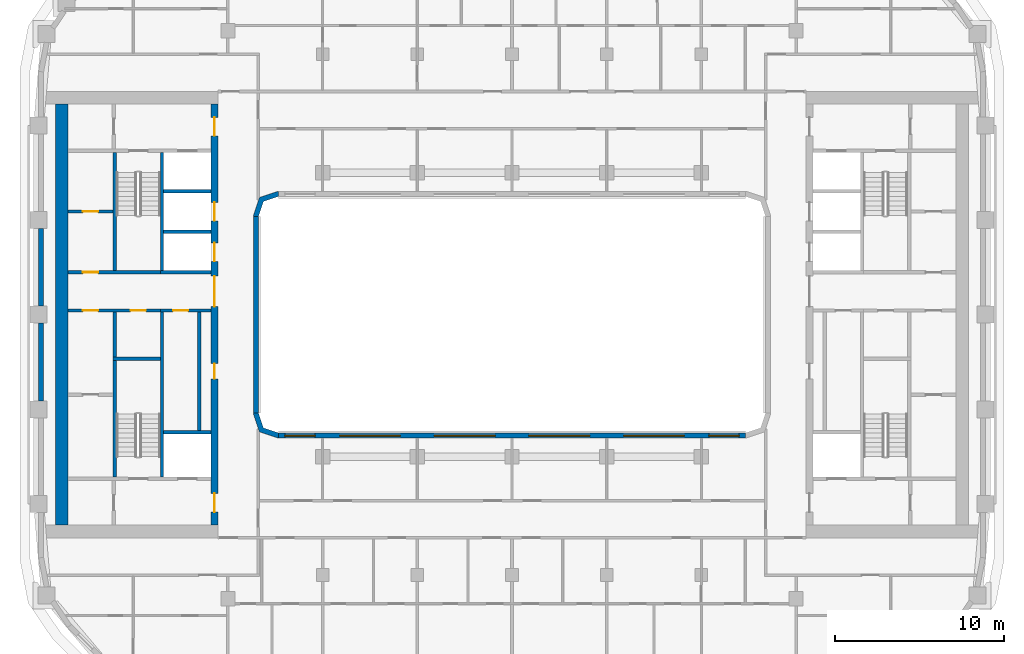
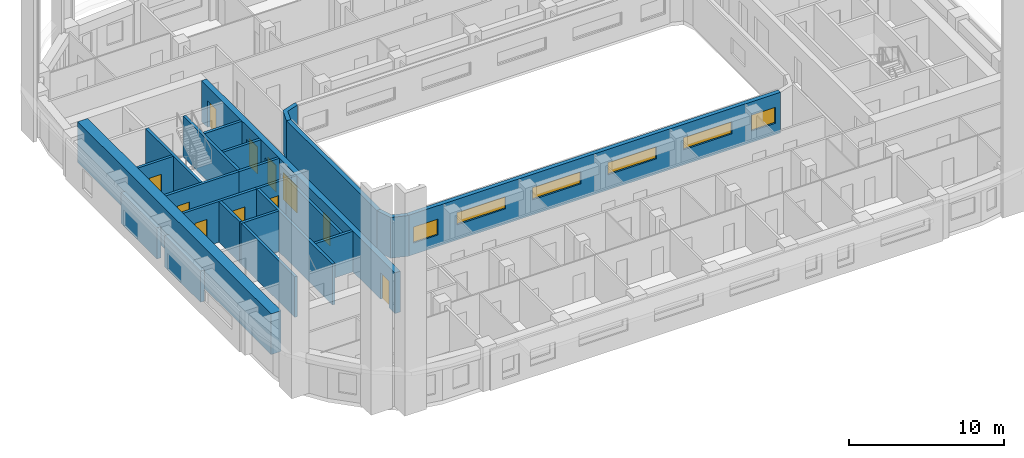
# One storey, part 4 of 22: 23 walls, 11 doors, 6 windows, 17 openings.
"""IFC4 building model written with IfcOpenShell, lengths in metres."""

from ifc_helpers import new_model, si_unit, direction, frame, frame_2d, origin, place, context, subcontext, project, spatial, polyline, rectangle, outline, extrude, material, layer, layer_set, type_object, element, fill, save


model = new_model("IFC4")

# Units and contexts
model_context = context("Model", 3, precision=1e-05, world=origin(), true_north=direction((0.0, 1.0)))
body_context = subcontext(model_context, "Body", "Model", "MODEL_VIEW")
ifc_project = project(units=[si_unit("LENGTHUNIT", "METRE"), si_unit("AREAUNIT", "SQUARE_METRE"), si_unit("VOLUMEUNIT", "CUBIC_METRE"), si_unit("PLANEANGLEUNIT", "RADIAN"), si_unit("MASSUNIT", "GRAM", prefix="KILO")], contexts=[model_context])

# Site, building, storey
site_placement = place(None, origin())
site = spatial("IfcSite", under=ifc_project, at=site_placement, CompositionType="ELEMENT")
building_placement = place(site_placement, origin())
building = spatial("IfcBuilding", under=site, at=building_placement, Name="Kiln Ring Residences", CompositionType="ELEMENT")
storey_placement = place(building_placement, frame((0.0, 0.0, 160.60009765625)))
storey = spatial("IfcBuildingStorey", under=building, at=storey_placement, Name="L41", CompositionType="ELEMENT", Elevation=160.60009765625)

# Wall
ifc_material_1 = material(Name="Gypsum board on steel studs", Category="steel")
ifc_layer_1 = layer(ifc_material_1, 0.199951171875)
ifc_layer_set_1 = layer_set([ifc_layer_1], Name="CORE-PARTITION-200")
wall_type_1 = type_object("IfcWallType", Name="CORE-PARTITION-200", PredefinedType="PARTITIONING", material=ifc_layer_set_1)
wall_1_placement = place(storey_placement, frame((-23.5, -2.5, 0.0), z_axis=(0.0, 0.0, 1.0), x_axis=(0.0, 1.0, 0.0)))
element("IfcWall", 1, at=wall_1_placement, inside=storey, type_object=wall_type_1, Name="Core partition west L41 1", PredefinedType="PARTITIONING", context=body_context, shape_type="SweptSolid", body=[
    extrude(rectangle(XDim=2.64990234375, YDim=0.199951171875, at=frame_2d((1.324951171875, 0.0))), origin(), (0.0, 0.0, 1.0), 3.199951171875),
])

# Wall, openings, doors
wall_2_placement = place(storey_placement, frame((-20.800048828125, 0.25, 0.0), z_axis=(0.0, 0.0, 1.0), x_axis=(-1.0, 0.0, 0.0)))
wall_2 = element("IfcWall", 2, at=wall_2_placement, inside=storey, type_object=wall_type_1, Name="Core partition west L41 2", PredefinedType="PARTITIONING", context=body_context, shape_type="SweptSolid", body=[
    extrude(rectangle(XDim=5.449951171875, YDim=0.199951171875, at=frame_2d((2.72509765625, 0.0))), origin(), (0.0, 0.0, 1.0), 3.199951171875),
])
opening_1_placement = place(wall_2_placement, frame((0.85009765625, 0.0, 0.0)))
opening_1 = element("IfcOpeningElement", 3, at=opening_1_placement, cuts=wall_2, Name="Opening L41-CW14", PredefinedType="OPENING", context=body_context, shape_type="SweptSolid", body=[
    extrude(rectangle(XDim=0.89990234375, YDim=2.10009765625, at=frame_2d((0.449951171875, 1.050048828125))), frame((0.0, 0.10986328125, 0.0), z_axis=(0.0, -1.0, 0.0), x_axis=(1.0, 0.0, 0.0)), (0.0, 0.0, 1.0), 0.219970703125),
])
opening_2_placement = place(wall_2_placement, frame((3.675048828125, 0.0, 0.0)))
opening_2 = element("IfcOpeningElement", 4, at=opening_2_placement, cuts=wall_2, Name="Opening L41-CW16", PredefinedType="OPENING", context=body_context, shape_type="SweptSolid", body=[
    extrude(rectangle(XDim=0.89990234375, YDim=2.10009765625, at=frame_2d((0.449951171875, 1.050048828125))), frame((0.0, 0.10986328125, 0.0), z_axis=(0.0, -1.0, 0.0), x_axis=(1.0, 0.0, 0.0)), (0.0, 0.0, 1.0), 0.219970703125),
])
ifc_material_2 = material(Name="Steel door leaf", Category="steel")
door_type_1 = type_object("IfcDoorType", Name="CORE-DOOR-ROOM", OperationType="SINGLE_SWING_LEFT", PredefinedType="DOOR", material=ifc_material_2)
door_1_placement = place(opening_1_placement, origin())
door_1 = element("IfcDoor", 5, at=door_1_placement, inside=storey, type_object=door_type_1, Name="Comms room L41-CW14", OperationType="SINGLE_SWING_RIGHT", OverallHeight=2.10009765625, OverallWidth=0.89990234375, PredefinedType="DOOR", context=body_context, shape_type="SweptSolid", body=[
    extrude(rectangle(XDim=0.89990234375, YDim=2.10009765625, at=frame_2d((0.449951171875, 1.050048828125))), frame((0.0, 0.02490234375, 0.0), z_axis=(0.0, -1.0, 0.0), x_axis=(1.0, 0.0, 0.0)), (0.0, 0.0, 1.0), 0.050048828125),
])
fill(opening_1, door_1)
door_2_placement = place(opening_2_placement, origin())
door_2 = element("IfcDoor", 6, at=door_2_placement, inside=storey, type_object=door_type_1, Name="Meter room L41-CW16", OperationType="SINGLE_SWING_RIGHT", OverallHeight=2.10009765625, OverallWidth=0.89990234375, PredefinedType="DOOR", context=body_context, shape_type="SweptSolid", body=[
    extrude(rectangle(XDim=0.89990234375, YDim=2.10009765625, at=frame_2d((0.449951171875, 1.050048828125))), frame((0.0, 0.02490234375, 0.0), z_axis=(0.0, -1.0, 0.0), x_axis=(1.0, 0.0, 0.0)), (0.0, 0.0, 1.0), 0.050048828125),
])
fill(opening_2, door_2)

# Wall
wall_3_placement = place(storey_placement, frame((-18.5, -6.85009765625, 0.0), z_axis=(0.0, 0.0, 1.0), x_axis=(0.0, 1.0, 0.0)))
element("IfcWall", 7, at=wall_3_placement, inside=storey, type_object=wall_type_1, Name="Core partition west L41 3", PredefinedType="PARTITIONING", context=body_context, shape_type="SweptSolid", body=[
    extrude(rectangle(XDim=7.0, YDim=0.199951171875, at=frame_2d((3.5, 0.0))), origin(), (0.0, 0.0, 1.0), 3.199951171875),
])

# Wall, opening, door
wall_4_placement = place(storey_placement, frame((-23.60009765625, 6.10009765625, 0.0), z_axis=(0.0, 0.0, 1.0), x_axis=(-1.0, 0.0, 0.0)))
wall_4 = element("IfcWall", 8, at=wall_4_placement, inside=storey, type_object=wall_type_1, Name="Core partition west L41 7", PredefinedType="PARTITIONING", context=body_context, shape_type="SweptSolid", body=[
    extrude(rectangle(XDim=2.64990234375, YDim=0.199951171875, at=frame_2d((1.324951171875, 0.0))), origin(), (0.0, 0.0, 1.0), 3.199951171875),
])
opening_3_placement = place(wall_4_placement, frame((0.875, 0.0, 0.0)))
opening_3 = element("IfcOpeningElement", 9, at=opening_3_placement, cuts=wall_4, Name="Opening L41-CW17", PredefinedType="OPENING", context=body_context, shape_type="SweptSolid", body=[
    extrude(rectangle(XDim=0.89990234375, YDim=2.10009765625, at=frame_2d((0.449951171875, 1.050048828125))), frame((0.0, 0.10986328125, 0.0), z_axis=(0.0, -1.0, 0.0), x_axis=(1.0, 0.0, 0.0)), (0.0, 0.0, 1.0), 0.219970703125),
])
door_3_placement = place(opening_3_placement, origin())
door_3 = element("IfcDoor", 10, at=door_3_placement, inside=storey, type_object=door_type_1, Name="Comms room L41-CW17", OperationType="SINGLE_SWING_RIGHT", OverallHeight=2.10009765625, OverallWidth=0.89990234375, PredefinedType="DOOR", context=body_context, shape_type="SweptSolid", body=[
    extrude(rectangle(XDim=0.89990234375, YDim=2.10009765625, at=frame_2d((0.449951171875, 1.050048828125))), frame((0.0, 0.02490234375, 0.0), z_axis=(0.0, -1.0, 0.0), x_axis=(1.0, 0.0, 0.0)), (0.0, 0.0, 1.0), 0.050048828125),
])
fill(opening_3, door_3)

# Wall
ifc_material_3 = material(Name="Gypsum shaft wall system")
ifc_layer_2 = layer(ifc_material_3, 0.199951171875)
ifc_layer_set_2 = layer_set([ifc_layer_2], Name="CORE-SHAFT-WALL-200")
wall_type_2 = type_object("IfcWallType", Name="CORE-SHAFT-WALL-200", PredefinedType="PARTITIONING", material=ifc_layer_set_2)
wall_5_placement = place(storey_placement, frame((-17.800048828125, -6.949951171875, 0.0), z_axis=(0.0, 0.0, 1.0), x_axis=(-1.0, 0.0, 0.0)))
element("IfcWall", 11, at=wall_5_placement, inside=storey, type_object=wall_type_2, Name="Core partition west L41 8", PredefinedType="PARTITIONING", context=body_context, shape_type="SweptSolid", body=[
    extrude(rectangle(XDim=2.800048828125, YDim=0.199951171875, at=frame_2d((1.39990234375, 0.0))), origin(), (0.0, 0.0, 1.0), 3.199951171875),
])

# Wall, opening, door
wall_6_placement = place(storey_placement, frame((-17.800048828125, 0.25, 0.0), z_axis=(0.0, 0.0, 1.0), x_axis=(-1.0, 0.0, 0.0)))
wall_6 = element("IfcWall", 12, at=wall_6_placement, inside=storey, type_object=wall_type_2, Name="Core partition west L41 9", PredefinedType="PARTITIONING", context=body_context, shape_type="SweptSolid", body=[
    extrude(rectangle(XDim=3.0, YDim=0.199951171875, at=frame_2d((1.5, 0.0))), origin(), (0.0, 0.0, 1.0), 3.199951171875),
])
opening_4_placement = place(wall_6_placement, frame((1.35009765625, 0.0, 0.0)))
opening_4 = element("IfcOpeningElement", 13, at=opening_4_placement, cuts=wall_6, Name="Opening L41-CW03", PredefinedType="OPENING", context=body_context, shape_type="SweptSolid", body=[
    extrude(rectangle(XDim=0.89990234375, YDim=2.10009765625, at=frame_2d((0.449951171875, 1.050048828125))), frame((0.0, 0.10986328125, 0.0), z_axis=(0.0, -1.0, 0.0), x_axis=(1.0, 0.0, 0.0)), (0.0, 0.0, 1.0), 0.219970703125),
])
door_4_placement = place(opening_4_placement, origin())
door_4 = element("IfcDoor", 14, at=door_4_placement, inside=storey, type_object=door_type_1, Name="Service store L41-CW03", OperationType="SINGLE_SWING_LEFT", OverallHeight=2.10009765625, OverallWidth=0.89990234375, PredefinedType="DOOR", context=body_context, shape_type="SweptSolid", body=[
    extrude(rectangle(XDim=0.89990234375, YDim=2.10009765625, at=frame_2d((0.449951171875, 1.050048828125))), frame((0.0, 0.02490234375, 0.0), z_axis=(0.0, -1.0, 0.0), x_axis=(1.0, 0.0, 0.0)), (0.0, 0.0, 1.0), 0.050048828125),
])
fill(opening_4, door_4)

# Walls
wall_7_placement = place(storey_placement, frame((-17.800048828125, 2.5, 0.0), z_axis=(0.0, 0.0, 1.0), x_axis=(-1.0, 0.0, 0.0)))
element("IfcWall", 15, at=wall_7_placement, inside=storey, type_object=wall_type_2, Name="Core partition west L41 10", PredefinedType="PARTITIONING", context=body_context, shape_type="SweptSolid", body=[
    extrude(rectangle(XDim=3.0, YDim=0.199951171875, at=frame_2d((1.5, 0.0))), origin(), (0.0, 0.0, 1.0), 3.199951171875),
])
for number, where, z_axis, x_axis, name in (
    (16, (-17.800048828125, 4.89990234375, 0.0), (0.0, 0.0, 1.0), (-1.0, 0.0, 0.0), "Core partition west L41 11"),
    (17, (-17.800048828125, 7.300048828125, 0.0), (0.0, 0.0, 1.0), (-1.0, 0.0, 0.0), "Core partition west L41 12"),
):
    element("IfcWall", number, at=place(storey_placement, frame(where, z_axis=z_axis, x_axis=x_axis)), inside=storey, type_object=wall_type_2, Name=name, PredefinedType="PARTITIONING", context=body_context, shape_type="SweptSolid", body=[
        extrude(rectangle(XDim=2.800048828125, YDim=0.199951171875, at=frame_2d((1.39990234375, 0.0))), origin(), (0.0, 0.0, 1.0), 3.199951171875),
    ])
ifc_material_4 = material(Name="Concrete C40/50", Category="concrete")
ifc_layer_3 = layer(ifc_material_4, 0.199951171875)
ifc_layer_set_3 = layer_set([ifc_layer_3], Name="CORE-WALL-RC200")
wall_type_3 = type_object("IfcWallType", Name="CORE-WALL-RC200", PredefinedType="SHEAR", material=ifc_layer_set_3)
wall_8_placement = place(storey_placement, frame((-20.699951171875, 2.60009765625, 0.0), z_axis=(0.0, 0.0, 1.0), x_axis=(0.0, 1.0, 0.0)))
element("IfcWall", 18, at=wall_8_placement, inside=storey, type_object=wall_type_3, Name="Core wall west L41 1", PredefinedType="SHEAR", context=body_context, shape_type="SweptSolid", body=[
    extrude(rectangle(XDim=7.0, YDim=0.199951171875, at=frame_2d((3.5, 0.0))), origin(), (0.0, 0.0, 1.0), 3.199951171875),
])
wall_9_placement = place(storey_placement, frame((-20.699951171875, -9.60009765625, 0.0), z_axis=(0.0, 0.0, 1.0), x_axis=(0.0, 1.0, 0.0)))
element("IfcWall", 19, at=wall_9_placement, inside=storey, type_object=wall_type_3, Name="Core wall west L41 2", PredefinedType="SHEAR", context=body_context, shape_type="SweptSolid", body=[
    extrude(rectangle(XDim=9.75, YDim=0.199951171875, at=frame_2d((4.875, 0.0))), origin(), (0.0, 0.0, 1.0), 3.199951171875),
])

# Wall, opening, door
wall_10_placement = place(storey_placement, frame((-20.800048828125, 2.5, 0.0), z_axis=(0.0, 0.0, 1.0), x_axis=(-1.0, 0.0, 0.0)))
wall_10 = element("IfcWall", 20, at=wall_10_placement, inside=storey, type_object=wall_type_3, Name="Core wall west L41 3", PredefinedType="SHEAR", context=body_context, shape_type="SweptSolid", body=[
    extrude(rectangle(XDim=5.449951171875, YDim=0.199951171875, at=frame_2d((2.72509765625, 0.0))), origin(), (0.0, 0.0, 1.0), 3.199951171875),
])
opening_5_placement = place(wall_10_placement, frame((3.675048828125, 0.0, 0.0)))
opening_5 = element("IfcOpeningElement", 21, at=opening_5_placement, cuts=wall_10, Name="Opening L41-CW18", PredefinedType="OPENING", context=body_context, shape_type="SweptSolid", body=[
    extrude(rectangle(XDim=0.89990234375, YDim=2.10009765625, at=frame_2d((0.449951171875, 1.050048828125))), frame((0.0, 0.10986328125, 0.0), z_axis=(0.0, -1.0, 0.0), x_axis=(1.0, 0.0, 0.0)), (0.0, 0.0, 1.0), 0.219970703125),
])
door_5_placement = place(opening_5_placement, origin())
door_5 = element("IfcDoor", 22, at=door_5_placement, inside=storey, type_object=door_type_1, Name="Electrical plant room L41-CW18", OperationType="SINGLE_SWING_LEFT", OverallHeight=2.10009765625, OverallWidth=0.89990234375, PredefinedType="DOOR", context=body_context, shape_type="SweptSolid", body=[
    extrude(rectangle(XDim=0.89990234375, YDim=2.10009765625, at=frame_2d((0.449951171875, 1.050048828125))), frame((0.0, 0.02490234375, 0.0), z_axis=(0.0, -1.0, 0.0), x_axis=(1.0, 0.0, 0.0)), (0.0, 0.0, 1.0), 0.050048828125),
])
fill(opening_5, door_5)

# Walls
wall_11_placement = place(storey_placement, frame((-23.5, 2.60009765625, 0.0), z_axis=(0.0, 0.0, 1.0), x_axis=(0.0, 1.0, 0.0)))
element("IfcWall", 23, at=wall_11_placement, inside=storey, type_object=wall_type_3, Name="Core wall west L41 10", PredefinedType="SHEAR", context=body_context, shape_type="SweptSolid", body=[
    extrude(rectangle(XDim=7.0, YDim=0.199951171875, at=frame_2d((3.5, 0.0))), origin(), (0.0, 0.0, 1.0), 3.199951171875),
])
wall_12_placement = place(storey_placement, frame((-23.5, -9.60009765625, 0.0), z_axis=(0.0, 0.0, 1.0), x_axis=(0.0, 1.0, 0.0)))
element("IfcWall", 24, at=wall_12_placement, inside=storey, type_object=wall_type_3, Name="Core wall west L41 11", PredefinedType="SHEAR", context=body_context, shape_type="SweptSolid", body=[
    extrude(rectangle(XDim=6.900146484375, YDim=0.199951171875, at=frame_2d((3.4501953125, 0.0))), origin(), (0.0, 0.0, 1.0), 3.199951171875),
])
wall_13_placement = place(storey_placement, frame((-20.800048828125, -2.60009765625, 0.0), z_axis=(0.0, 0.0, 1.0), x_axis=(-1.0, 0.0, 0.0)))
element("IfcWall", 25, at=wall_13_placement, inside=storey, type_object=wall_type_3, Name="Core wall west L41 12", PredefinedType="SHEAR", context=body_context, shape_type="SweptSolid", body=[
    extrude(rectangle(XDim=2.800048828125, YDim=0.199951171875, at=frame_2d((1.39990234375, 0.0))), origin(), (0.0, 0.0, 1.0), 3.199951171875),
])

# Wall, openings, doors
ifc_material_5 = material(Name="Concrete C60/75", Category="concrete")
ifc_layer_4 = layer(ifc_material_5, 0.39990234375)
ifc_layer_set_4 = layer_set([ifc_layer_4], Name="CORE-WALL-RC400")
wall_type_4 = type_object("IfcWallType", Name="CORE-WALL-RC400", PredefinedType="SHEAR", material=ifc_layer_set_4)
wall_14_placement = place(storey_placement, frame((-17.60009765625, -12.449951171875, 0.0), z_axis=(0.0, 0.0, 1.0), x_axis=(0.0, 1.0, 0.0)))
wall_14 = element("IfcWall", 26, at=wall_14_placement, inside=storey, type_object=wall_type_4, Name="Core wall west L41 6", PredefinedType="SHEAR", context=body_context, shape_type="SweptSolid", body=[
    extrude(rectangle(XDim=24.89990234375, YDim=0.39990234375, at=frame_2d((12.449951171875, 0.0))), origin(), (0.0, 0.0, 1.0), 3.199951171875),
])
opening_6_placement = place(wall_14_placement, frame((8.64990234375, 0.0, 0.0)))
opening_6 = element("IfcOpeningElement", 27, at=opening_6_placement, cuts=wall_14, Name="Opening L41-CW02", PredefinedType="OPENING", context=body_context, shape_type="SweptSolid", body=[
    extrude(rectangle(XDim=0.89990234375, YDim=2.10009765625, at=frame_2d((0.449951171875, 1.050048828125))), frame((0.0, 0.2099609375, 0.0), z_axis=(0.0, -1.0, 0.0), x_axis=(1.0, 0.0, 0.0)), (0.0, 0.0, 1.0), 0.419921875),
])
opening_7_placement = place(wall_14_placement, frame((15.60009765625, 0.0, 0.0)))
opening_7 = element("IfcOpeningElement", 28, at=opening_7_placement, cuts=wall_14, Name="Opening L41-CW04", PredefinedType="OPENING", context=body_context, shape_type="SweptSolid", body=[
    extrude(rectangle(XDim=1.10009765625, YDim=2.10009765625, at=frame_2d((0.550048828125, 1.050048828125))), frame((0.0, 0.2099609375, 0.0), z_axis=(0.0, -1.0, 0.0), x_axis=(1.0, 0.0, 0.0)), (0.0, 0.0, 1.0), 0.419921875),
])
opening_8_placement = place(wall_14_placement, frame((18.0, 0.0, 0.0)))
opening_8 = element("IfcOpeningElement", 29, at=opening_8_placement, cuts=wall_14, Name="Opening L41-CW05", PredefinedType="OPENING", context=body_context, shape_type="SweptSolid", body=[
    extrude(rectangle(XDim=1.10009765625, YDim=2.10009765625, at=frame_2d((0.550048828125, 1.050048828125))), frame((0.0, 0.2099609375, 0.0), z_axis=(0.0, -1.0, 0.0), x_axis=(1.0, 0.0, 0.0)), (0.0, 0.0, 1.0), 0.419921875),
])
opening_9_placement = place(wall_14_placement, frame((23.02490234375, 0.0, 0.0)))
opening_9 = element("IfcOpeningElement", 30, at=opening_9_placement, cuts=wall_14, Name="Opening L41-CW07", PredefinedType="OPENING", context=body_context, shape_type="SweptSolid", body=[
    extrude(rectangle(XDim=1.10009765625, YDim=2.10009765625, at=frame_2d((0.550048828125, 1.050048828125))), frame((0.0, 0.2099609375, 0.0), z_axis=(0.0, -1.0, 0.0), x_axis=(1.0, 0.0, 0.0)), (0.0, 0.0, 1.0), 0.419921875),
])
opening_10_placement = place(wall_14_placement, frame((0.77490234375, 0.0, 0.0)))
opening_10 = element("IfcOpeningElement", 31, at=opening_10_placement, cuts=wall_14, Name="Opening L41-CW08", PredefinedType="OPENING", context=body_context, shape_type="SweptSolid", body=[
    extrude(rectangle(XDim=1.10009765625, YDim=2.10009765625, at=frame_2d((0.550048828125, 1.050048828125))), frame((0.0, 0.2099609375, 0.0), z_axis=(0.0, -1.0, 0.0), x_axis=(1.0, 0.0, 0.0)), (0.0, 0.0, 1.0), 0.419921875),
])
opening_11_placement = place(wall_14_placement, frame((12.925048828125, 0.0, 0.0)))
opening_11 = element("IfcOpeningElement", 32, at=opening_11_placement, cuts=wall_14, Name="Opening L41-CW13", PredefinedType="OPENING", context=body_context, shape_type="SweptSolid", body=[
    extrude(rectangle(XDim=1.800048828125, YDim=2.10009765625, at=frame_2d((0.89990234375, 1.050048828125))), frame((0.0, 0.2099609375, 0.0), z_axis=(0.0, -1.0, 0.0), x_axis=(1.0, 0.0, 0.0)), (0.0, 0.0, 1.0), 0.419921875),
])
ifc_material_6 = material(Name="Steel door leaf", Category="steel")
door_type_2 = type_object("IfcDoorType", Name="CORE-DOOR-LD", OperationType="DOUBLE_DOOR_SLIDING", PredefinedType="DOOR", material=ifc_material_6)
door_6_placement = place(opening_7_placement, origin())
door_6 = element("IfcDoor", 33, at=door_6_placement, inside=storey, type_object=door_type_2, Name="LD W-M1 L41-CW04", OperationType="DOUBLE_DOOR_SLIDING", OverallHeight=2.10009765625, OverallWidth=1.10009765625, PredefinedType="DOOR", context=body_context, shape_type="SweptSolid", body=[
    extrude(rectangle(XDim=1.10009765625, YDim=2.10009765625, at=frame_2d((0.550048828125, 1.050048828125))), frame((0.0, 0.02490234375, 0.0), z_axis=(0.0, -1.0, 0.0), x_axis=(1.0, 0.0, 0.0)), (0.0, 0.0, 1.0), 0.050048828125),
])
fill(opening_7, door_6)
door_7_placement = place(opening_8_placement, origin())
door_7 = element("IfcDoor", 34, at=door_7_placement, inside=storey, type_object=door_type_2, Name="LD W-M2 L41-CW05", OperationType="DOUBLE_DOOR_SLIDING", OverallHeight=2.10009765625, OverallWidth=1.10009765625, PredefinedType="DOOR", context=body_context, shape_type="SweptSolid", body=[
    extrude(rectangle(XDim=1.10009765625, YDim=2.10009765625, at=frame_2d((0.550048828125, 1.050048828125))), frame((0.0, 0.02490234375, 0.0), z_axis=(0.0, -1.0, 0.0), x_axis=(1.0, 0.0, 0.0)), (0.0, 0.0, 1.0), 0.050048828125),
])
fill(opening_8, door_7)
ifc_material_7 = material(Name="Steel door leaf", Category="steel")
door_type_3 = type_object("IfcDoorType", Name="CORE-DOOR-LOBBY", OperationType="SINGLE_SWING_LEFT", PredefinedType="DOOR", material=ifc_material_7)
door_8_placement = place(opening_9_placement, origin())
door_8 = element("IfcDoor", 35, at=door_8_placement, inside=storey, type_object=door_type_3, Name="FFL L41-CW07", OperationType="SINGLE_SWING_RIGHT", OverallHeight=2.10009765625, OverallWidth=1.10009765625, PredefinedType="DOOR", context=body_context, shape_type="SweptSolid", body=[
    extrude(rectangle(XDim=1.10009765625, YDim=2.10009765625, at=frame_2d((0.550048828125, 1.050048828125))), frame((0.0, 0.02490234375, 0.0), z_axis=(0.0, -1.0, 0.0), x_axis=(1.0, 0.0, 0.0)), (0.0, 0.0, 1.0), 0.050048828125),
])
fill(opening_9, door_8)
door_9_placement = place(opening_10_placement, origin())
door_9 = element("IfcDoor", 36, at=door_9_placement, inside=storey, type_object=door_type_3, Name="SVL L41-CW08", OperationType="SINGLE_SWING_LEFT", OverallHeight=2.10009765625, OverallWidth=1.10009765625, PredefinedType="DOOR", context=body_context, shape_type="SweptSolid", body=[
    extrude(rectangle(XDim=1.10009765625, YDim=2.10009765625, at=frame_2d((0.550048828125, 1.050048828125))), frame((0.0, 0.02490234375, 0.0), z_axis=(0.0, -1.0, 0.0), x_axis=(1.0, 0.0, 0.0)), (0.0, 0.0, 1.0), 0.050048828125),
])
fill(opening_10, door_9)
ifc_material_8 = material(Name="Steel door leaf", Category="steel")
door_type_4 = type_object("IfcDoorType", Name="CORE-DOOR-PASS", OperationType="DOUBLE_DOOR_SINGLE_SWING", PredefinedType="DOOR", material=ifc_material_8)
door_10_placement = place(opening_11_placement, origin())
door_10 = element("IfcDoor", 37, at=door_10_placement, inside=storey, type_object=door_type_4, Name="Core passage L41-CW13", OperationType="DOUBLE_DOOR_SINGLE_SWING", OverallHeight=2.10009765625, OverallWidth=1.800048828125, PredefinedType="DOOR", context=body_context, shape_type="SweptSolid", body=[
    extrude(rectangle(XDim=1.800048828125, YDim=2.10009765625, at=frame_2d((0.89990234375, 1.050048828125))), frame((0.0, 0.02490234375, 0.0), z_axis=(0.0, -1.0, 0.0), x_axis=(1.0, 0.0, 0.0)), (0.0, 0.0, 1.0), 0.050048828125),
])
fill(opening_11, door_10)
door_11_placement = place(opening_6_placement, origin())
door_11 = element("IfcDoor", 38, at=door_11_placement, inside=storey, type_object=door_type_1, Name="Locker store L41-CW02", OperationType="SINGLE_SWING_RIGHT", OverallHeight=2.10009765625, OverallWidth=0.89990234375, PredefinedType="DOOR", context=body_context, shape_type="SweptSolid", body=[
    extrude(rectangle(XDim=0.89990234375, YDim=2.10009765625, at=frame_2d((0.449951171875, 1.050048828125))), frame((0.0, 0.02490234375, 0.0), z_axis=(0.0, -1.0, 0.0), x_axis=(1.0, 0.0, 0.0)), (0.0, 0.0, 1.0), 0.050048828125),
])
fill(opening_6, door_11)

# Walls
ifc_material_9 = material(Name="Concrete C60/75", Category="concrete")
ifc_layer_5 = layer(ifc_material_9, 0.75)
ifc_layer_set_5 = layer_set([ifc_layer_5], Name="CORE-WALL-RC750")
wall_type_5 = type_object("IfcWallType", Name="CORE-WALL-RC750", PredefinedType="SHEAR", material=ifc_layer_set_5)
wall_15_placement = place(storey_placement, frame((-26.625, -12.449951171875, 0.0), z_axis=(0.0, 0.0, 1.0), x_axis=(0.0, 1.0, 0.0)))
element("IfcWall", 39, at=wall_15_placement, inside=storey, type_object=wall_type_5, Name="Core wall west L41 7", PredefinedType="SHEAR", context=body_context, shape_type="SweptSolid", body=[
    extrude(rectangle(XDim=24.89990234375, YDim=0.75, at=frame_2d((12.449951171875, 0.0))), origin(), (0.0, 0.0, 1.0), 3.199951171875),
])
ifc_material_10 = material(Name="Brick masonry, dark clay brick", Category="masonry")
ifc_layer_6 = layer(ifc_material_10, 0.300048828125)
ifc_layer_set_6 = layer_set([ifc_layer_6], Name="EW-300 BRICK WALL")
wall_type_6 = type_object("IfcWallType", Name="EW-300 BRICK WALL", PredefinedType="SOLIDWALL", material=ifc_layer_set_6)
for number, where, z_axis, x_axis, name in (
    (40, (-27.85009765625, 5.10009765625, 0.0), (0.0, 0.0, 1.0), (0.0, -1.0, 0.0), "Facade wall L41 43"),
    (41, (-27.85009765625, -0.5, 0.0), (0.0, 0.0, 1.0), (0.0, -1.0, 0.0), "Facade wall L41 44"),
):
    element("IfcWall", number, at=place(storey_placement, frame(where, z_axis=z_axis, x_axis=x_axis)), inside=storey, type_object=wall_type_6, Name=name, PredefinedType="SOLIDWALL", context=body_context, shape_type="SweptSolid", body=[
        extrude(rectangle(XDim=4.60009765625, YDim=0.300048828125, at=frame_2d((2.300048828125, 0.0))), origin(), (0.0, 0.0, 1.0), 2.449951171875),
    ])
wall_16_placement = place(storey_placement, frame((-15.14990234375, -5.800048828125, 0.0), z_axis=(0.0, 0.0, 1.0), x_axis=(0.0, 1.0, 0.0)))
element("IfcWall", 42, at=wall_16_placement, inside=storey, type_object=wall_type_6, Name="Facade wall L41 49", PredefinedType="SOLIDWALL", context=body_context, shape_type="SweptSolid", body=[
    extrude(rectangle(XDim=11.60009765625, YDim=0.300048828125, at=frame_2d((5.800048828125, 0.0))), origin(), (0.0, 0.0, 1.0), 3.199951171875),
])

# Wall, openings, windows
wall_17_placement = place(storey_placement, frame((13.800048828125, -7.14990234375, 0.0), z_axis=(0.0, 0.0, 1.0), x_axis=(-1.0, 0.0, 0.0)))
wall_17 = element("IfcWall", 43, at=wall_17_placement, inside=storey, type_object=wall_type_6, Name="Facade wall L41 52", PredefinedType="SOLIDWALL", context=body_context, shape_type="SweptSolid", body=[
    extrude(rectangle(XDim=27.60009765625, YDim=0.300048828125, at=frame_2d((13.800048828125, 0.0))), origin(), (0.0, 0.0, 1.0), 3.199951171875),
])
opening_12_placement = place(wall_17_placement, frame((0.362548828125, 0.0, 0.89990234375)))
opening_12 = element("IfcOpeningElement", 44, at=opening_12_placement, cuts=wall_17, Name="Opening W2", PredefinedType="OPENING", context=body_context, shape_type="SweptSolid", body=[
    extrude(rectangle(XDim=1.800048828125, YDim=1.25, at=frame_2d((0.89990234375, 0.625))), frame((0.0, 0.159912109375, 0.0), z_axis=(0.0, -1.0, 0.0), x_axis=(1.0, 0.0, 0.0)), (0.0, 0.0, 1.0), 0.320068359375),
])
opening_13_placement = place(wall_17_placement, frame((3.60009765625, 0.0, 1.199951171875)))
opening_13 = element("IfcOpeningElement", 45, at=opening_13_placement, cuts=wall_17, Name="Opening W4", PredefinedType="OPENING", context=body_context, shape_type="SweptSolid", body=[
    extrude(rectangle(XDim=3.60009765625, YDim=0.949951171875, at=frame_2d((1.800048828125, 0.47509765625))), frame((0.0, 0.159912109375, 0.0), z_axis=(0.0, -1.0, 0.0), x_axis=(1.0, 0.0, 0.0)), (0.0, 0.0, 1.0), 0.320068359375),
])
opening_14_placement = place(wall_17_placement, frame((9.199951171875, 0.0, 1.199951171875)))
opening_14 = element("IfcOpeningElement", 46, at=opening_14_placement, cuts=wall_17, Name="Opening W4", PredefinedType="OPENING", context=body_context, shape_type="SweptSolid", body=[
    extrude(rectangle(XDim=3.60009765625, YDim=0.949951171875, at=frame_2d((1.800048828125, 0.47509765625))), frame((0.0, 0.159912109375, 0.0), z_axis=(0.0, -1.0, 0.0), x_axis=(1.0, 0.0, 0.0)), (0.0, 0.0, 1.0), 0.320068359375),
])
opening_15_placement = place(wall_17_placement, frame((14.800048828125, 0.0, 1.199951171875)))
opening_15 = element("IfcOpeningElement", 47, at=opening_15_placement, cuts=wall_17, Name="Opening W4", PredefinedType="OPENING", context=body_context, shape_type="SweptSolid", body=[
    extrude(rectangle(XDim=3.60009765625, YDim=0.949951171875, at=frame_2d((1.800048828125, 0.47509765625))), frame((0.0, 0.159912109375, 0.0), z_axis=(0.0, -1.0, 0.0), x_axis=(1.0, 0.0, 0.0)), (0.0, 0.0, 1.0), 0.320068359375),
])
opening_16_placement = place(wall_17_placement, frame((20.39990234375, 0.0, 1.199951171875)))
opening_16 = element("IfcOpeningElement", 48, at=opening_16_placement, cuts=wall_17, Name="Opening W4", PredefinedType="OPENING", context=body_context, shape_type="SweptSolid", body=[
    extrude(rectangle(XDim=3.60009765625, YDim=0.949951171875, at=frame_2d((1.800048828125, 0.47509765625))), frame((0.0, 0.159912109375, 0.0), z_axis=(0.0, -1.0, 0.0), x_axis=(1.0, 0.0, 0.0)), (0.0, 0.0, 1.0), 0.320068359375),
])
opening_17_placement = place(wall_17_placement, frame((25.4375, 0.0, 0.89990234375)))
opening_17 = element("IfcOpeningElement", 49, at=opening_17_placement, cuts=wall_17, Name="Opening W2", PredefinedType="OPENING", context=body_context, shape_type="SweptSolid", body=[
    extrude(rectangle(XDim=1.800048828125, YDim=1.25, at=frame_2d((0.89990234375, 0.625))), frame((0.0, 0.159912109375, 0.0), z_axis=(0.0, -1.0, 0.0), x_axis=(1.0, 0.0, 0.0)), (0.0, 0.0, 1.0), 0.320068359375),
])
ifc_material_11 = material(Name="Aluminium frame with double glazing", Category="aluminium")
window_type_1 = type_object("IfcWindowType", Name="WINDOW 1800 x 1250", PartitioningType="SINGLE_PANEL", PredefinedType="WINDOW", material=ifc_material_11)
window_1_placement = place(opening_12_placement, origin())
window_1 = element("IfcWindow", 50, at=window_1_placement, inside=storey, type_object=window_type_1, Name="Window L41 38", OverallHeight=1.25, OverallWidth=1.800048828125, PartitioningType="SINGLE_PANEL", PredefinedType="WINDOW", context=body_context, shape_type="SweptSolid", body=[
    extrude(rectangle(XDim=1.800048828125, YDim=1.25, at=frame_2d((0.89990234375, 0.625))), frame((0.0, 0.030029296875, 0.0), z_axis=(0.0, -1.0, 0.0), x_axis=(1.0, 0.0, 0.0)), (0.0, 0.0, 1.0), 0.06005859375),
])
fill(opening_12, window_1)
window_2_placement = place(opening_17_placement, origin())
window_2 = element("IfcWindow", 51, at=window_2_placement, inside=storey, type_object=window_type_1, Name="Window L41 43", OverallHeight=1.25, OverallWidth=1.800048828125, PartitioningType="SINGLE_PANEL", PredefinedType="WINDOW", context=body_context, shape_type="SweptSolid", body=[
    extrude(rectangle(XDim=1.800048828125, YDim=1.25, at=frame_2d((0.89990234375, 0.625))), frame((0.0, 0.030029296875, 0.0), z_axis=(0.0, -1.0, 0.0), x_axis=(1.0, 0.0, 0.0)), (0.0, 0.0, 1.0), 0.06005859375),
])
fill(opening_17, window_2)
ifc_material_12 = material(Name="Aluminium frame with double glazing", Category="aluminium")
window_type_2 = type_object("IfcWindowType", Name="WINDOW 3600 x 950", PartitioningType="SINGLE_PANEL", PredefinedType="WINDOW", material=ifc_material_12)
window_3_placement = place(opening_13_placement, origin())
window_3 = element("IfcWindow", 52, at=window_3_placement, inside=storey, type_object=window_type_2, Name="Window L41 39", OverallHeight=0.949951171875, OverallWidth=3.60009765625, PartitioningType="SINGLE_PANEL", PredefinedType="WINDOW", context=body_context, shape_type="SweptSolid", body=[
    extrude(rectangle(XDim=3.60009765625, YDim=0.949951171875, at=frame_2d((1.800048828125, 0.47509765625))), frame((0.0, 0.030029296875, 0.0), z_axis=(0.0, -1.0, 0.0), x_axis=(1.0, 0.0, 0.0)), (0.0, 0.0, 1.0), 0.06005859375),
])
fill(opening_13, window_3)
window_4_placement = place(opening_14_placement, origin())
window_4 = element("IfcWindow", 53, at=window_4_placement, inside=storey, type_object=window_type_2, Name="Window L41 40", OverallHeight=0.949951171875, OverallWidth=3.60009765625, PartitioningType="SINGLE_PANEL", PredefinedType="WINDOW", context=body_context, shape_type="SweptSolid", body=[
    extrude(rectangle(XDim=3.60009765625, YDim=0.949951171875, at=frame_2d((1.800048828125, 0.47509765625))), frame((0.0, 0.030029296875, 0.0), z_axis=(0.0, -1.0, 0.0), x_axis=(1.0, 0.0, 0.0)), (0.0, 0.0, 1.0), 0.06005859375),
])
fill(opening_14, window_4)
window_5_placement = place(opening_15_placement, origin())
window_5 = element("IfcWindow", 54, at=window_5_placement, inside=storey, type_object=window_type_2, Name="Window L41 41", OverallHeight=0.949951171875, OverallWidth=3.60009765625, PartitioningType="SINGLE_PANEL", PredefinedType="WINDOW", context=body_context, shape_type="SweptSolid", body=[
    extrude(rectangle(XDim=3.60009765625, YDim=0.949951171875, at=frame_2d((1.800048828125, 0.47509765625))), frame((0.0, 0.030029296875, 0.0), z_axis=(0.0, -1.0, 0.0), x_axis=(1.0, 0.0, 0.0)), (0.0, 0.0, 1.0), 0.06005859375),
])
fill(opening_15, window_5)
window_6_placement = place(opening_16_placement, origin())
window_6 = element("IfcWindow", 55, at=window_6_placement, inside=storey, type_object=window_type_2, Name="Window L41 42", OverallHeight=0.949951171875, OverallWidth=3.60009765625, PartitioningType="SINGLE_PANEL", PredefinedType="WINDOW", context=body_context, shape_type="SweptSolid", body=[
    extrude(rectangle(XDim=3.60009765625, YDim=0.949951171875, at=frame_2d((1.800048828125, 0.47509765625))), frame((0.0, 0.030029296875, 0.0), z_axis=(0.0, -1.0, 0.0), x_axis=(1.0, 0.0, 0.0)), (0.0, 0.0, 1.0), 0.06005859375),
])
fill(opening_16, window_6)

# Walls
placement = place(storey_placement, origin())
element("IfcWall", 56, at=placement, inside=storey, type_object=wall_type_6, Name="Corner wall L41 1", PredefinedType="SOLIDWALL", context=body_context, shape_type="SweptSolid", body=[
    extrude(outline(polyline([(-13.8486328125, 7.300048828125), (-14.937255859375, 6.937255859375), (-15.300048828125, 5.8486328125), (-15.300048828125, 5.800048828125), (-15.0, 5.800048828125), (-14.699951171875, 6.699951171875), (-13.800048828125, 7.0), (-13.800048828125, 7.300048828125), (-13.8486328125, 7.300048828125)])), origin(), (0.0, 0.0, 1.0), 3.199951171875),
])
element("IfcWall", 57, at=placement, inside=storey, type_object=wall_type_6, Name="Corner wall L41 4", PredefinedType="SOLIDWALL", context=body_context, shape_type="SweptSolid", body=[
    extrude(outline(polyline([(-14.937255859375, -6.937255859375), (-13.8486328125, -7.300048828125), (-13.800048828125, -7.300048828125), (-13.800048828125, -7.0), (-14.699951171875, -6.699951171875), (-15.0, -5.800048828125), (-15.300048828125, -5.800048828125), (-15.300048828125, -5.8486328125), (-14.937255859375, -6.937255859375)])), origin(), (0.0, 0.0, 1.0), 3.199951171875),
])

save(model, "model.ifc")
